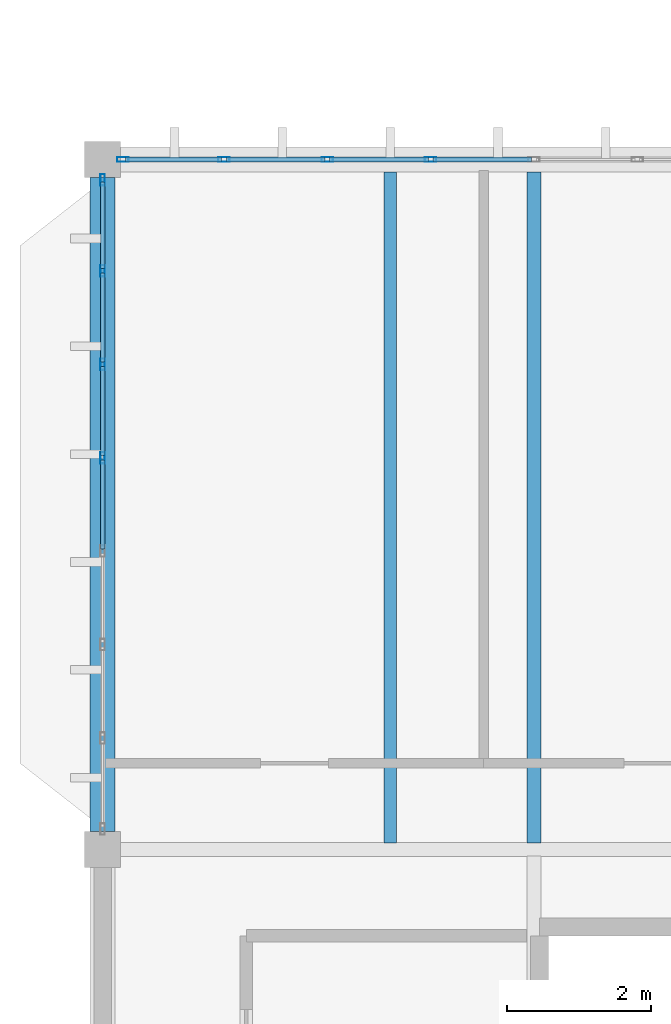
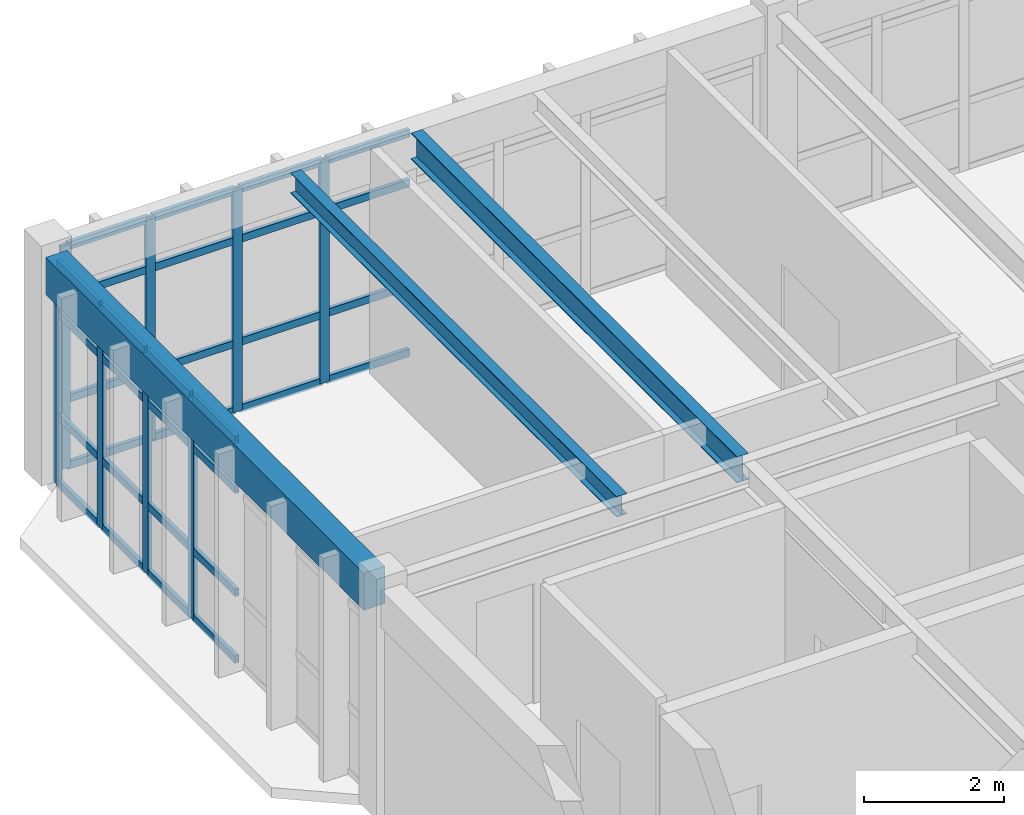
# One storey, part 16 of 83: 40 members, 3 beams, 2 elements without a shape of their own.
"""IFC4 building model written with IfcOpenShell, lengths in metres."""

from ifc_helpers import new_model, si_unit, direction, frame, origin, origin_2d, place, context, subcontext, project, spatial, rectangle, hollow_rectangle, i_section, extrude, material, layer, layer_set, material_profile, profile_set, type_object, element, aggregate, save


model = new_model("IFC4")

# Units and contexts
model_context = context("Model", 3, precision=1e-05, world=origin(), true_north=direction((0.0, 1.0)))
body_context = subcontext(model_context, "Body", "Model", "MODEL_VIEW")
ifc_project = project(units=[si_unit("LENGTHUNIT", "METRE"), si_unit("AREAUNIT", "SQUARE_METRE"), si_unit("VOLUMEUNIT", "CUBIC_METRE"), si_unit("PLANEANGLEUNIT", "RADIAN"), si_unit("MASSUNIT", "GRAM", prefix="KILO")], contexts=[model_context])

# Site, building, storey
site_placement = place(None, origin())
site = spatial("IfcSite", under=ifc_project, at=site_placement, CompositionType="ELEMENT")
building_placement = place(site_placement, origin())
building = spatial("IfcBuilding", under=site, at=building_placement, Name="Pandanus Reach Market Hall", CompositionType="ELEMENT")
storey_placement = place(building_placement, frame((0.0, 0.0, 10.199951171875)))
storey = spatial("IfcBuildingStorey", under=building, at=storey_placement, Name="L02", CompositionType="ELEMENT", Elevation=10.199951171875)

# Beams
ifc_material_1 = material(Name="Concrete N40 (40 MPa)", Category="concrete")
ifc_material_profile_1 = material_profile(ifc_material_1, rectangle(XDim=0.35009765625, YDim=0.64990234375, at=origin_2d()), Name="RC350x650", Category="LoadBearing")
ifc_profile_set_1 = profile_set([ifc_material_profile_1], Name="Concrete N40 (40 MPa)")
beam_type_1 = type_object("IfcBeamType", Name="BM-RC350-E", PredefinedType="SPANDREL", material=ifc_profile_set_1)
beam_1_placement = place(storey_placement, frame((0.0, 19.447998046875, 3.655029296875), z_axis=(0.0, 1.0, 0.0), x_axis=(-1.0, 0.0, 0.0)))
element("IfcBeam", 1, at=beam_1_placement, inside=storey, type_object=beam_type_1, Name="Framing beam BM-RC350-E L02.1021", PredefinedType="SPANDREL", context=body_context, shape_type="SweptSolid", body=[
    extrude(rectangle(XDim=0.35009765625, YDim=0.64990234375, at=origin_2d()), origin(), (0.0, 0.0, 1.0), 9.10400390625),
])
ifc_material_2 = material(Name="Steel Grade 350 (350 MPa)", Category="steel")
ifc_material_profile_2 = material_profile(ifc_material_2, i_section(OverallWidth=0.18994140625, OverallDepth=0.45703125, WebThickness=0.009033203125, FlangeThickness=0.014404296875, at=origin_2d()), Name="460UB74.6", Category="LoadBearing")
ifc_profile_set_2 = profile_set([ifc_material_profile_2], Name="Steel Grade 350 (350 MPa)")
beam_type_2 = type_object("IfcBeamType", Name="BM-UB460-I", PredefinedType="BEAM", material=ifc_profile_set_2)
beam_2_placement = place(storey_placement, frame((6.0, 19.29296875, 3.75), z_axis=(0.0, 1.0, 0.0), x_axis=(-1.0, 0.0, 0.0)))
element("IfcBeam", 2, at=beam_2_placement, inside=storey, type_object=beam_type_2, Name="Food court valley beam B1.19", PredefinedType="BEAM", context=body_context, shape_type="SweptSolid", body=[
    extrude(i_section(OverallWidth=0.18994140625, OverallDepth=0.45703125, WebThickness=0.009033203125, FlangeThickness=0.014404296875, at=origin_2d()), origin(), (0.0, 0.0, 1.0), 9.333984375),
])

# Curtain wall, members
ifc_material_3 = material(Name="Bronze anodised aluminium and low-E glass", Category="aluminium")
ifc_layer_1 = layer(ifc_material_3, 0.159912109375, Name="CW-22")
ifc_layer_set_1 = layer_set([ifc_layer_1], Name="Bronze anodised aluminium and low-E glass")
curtain_wall_type_1 = type_object("IfcCurtainWallType", Name="CW-22", PredefinedType="NOTDEFINED", material=ifc_layer_set_1)
curtain_wall_1_placement = place(storey_placement, origin())
curtain_wall_1 = element("IfcCurtainWall", 3, at=curtain_wall_1_placement, inside=storey, type_object=curtain_wall_type_1, Name="Glazed curtain wall CW-22 CW-0065", PredefinedType="NOTDEFINED")
ifc_material_4 = material(Name="Bronze anodised aluminium", Category="aluminium")
ifc_material_profile_3 = material_profile(ifc_material_4, hollow_rectangle(XDim=0.06494140625, YDim=0.159912109375, WallThickness=0.00390625, at=origin_2d()), Name="ALU65x160", Category="LoadBearing")
ifc_profile_set_3 = profile_set([ifc_material_profile_3], Name="Bronze anodised aluminium")
member_type_1 = type_object("IfcMemberType", Name="CW-M1", PredefinedType="MULLION", material=ifc_profile_set_3)
member_1_placement = place(storey_placement, frame((0.282470703125, 28.800048828125, 0.0), z_axis=(0.0, 0.0, 1.0), x_axis=(0.0, 1.0, 0.0)))
member_1 = element("IfcMember", 4, at=member_1_placement, type_object=member_type_1, Name="CW-22 mullion 1", PredefinedType="MULLION", context=body_context, shape_type="SweptSolid", body=[
    extrude(hollow_rectangle(XDim=0.06494140625, YDim=0.159912109375, WallThickness=0.00390625, at=origin_2d()), origin(), (0.0, 0.0, 1.0), 3.900146484375),
])
member_2_placement = place(storey_placement, frame((1.6875, 28.800048828125, 0.0), z_axis=(0.0, 0.0, 1.0), x_axis=(0.0, 1.0, 0.0)))
member_2 = element("IfcMember", 5, at=member_2_placement, type_object=member_type_1, Name="CW-22 mullion 2", PredefinedType="MULLION", context=body_context, shape_type="SweptSolid", body=[
    extrude(hollow_rectangle(XDim=0.06494140625, YDim=0.159912109375, WallThickness=0.00390625, at=origin_2d()), origin(), (0.0, 0.0, 1.0), 3.900146484375),
])
member_3_placement = place(storey_placement, frame((3.125, 28.800048828125, 0.0), z_axis=(0.0, 0.0, 1.0), x_axis=(0.0, 1.0, 0.0)))
member_3 = element("IfcMember", 6, at=member_3_placement, type_object=member_type_1, Name="CW-22 mullion 3", PredefinedType="MULLION", context=body_context, shape_type="SweptSolid", body=[
    extrude(hollow_rectangle(XDim=0.06494140625, YDim=0.159912109375, WallThickness=0.00390625, at=origin_2d()), origin(), (0.0, 0.0, 1.0), 3.900146484375),
])
member_4_placement = place(storey_placement, frame((4.5625, 28.800048828125, 0.0), z_axis=(0.0, 0.0, 1.0), x_axis=(0.0, 1.0, 0.0)))
member_4 = element("IfcMember", 7, at=member_4_placement, type_object=member_type_1, Name="CW-22 mullion 4", PredefinedType="MULLION", context=body_context, shape_type="SweptSolid", body=[
    extrude(hollow_rectangle(XDim=0.06494140625, YDim=0.159912109375, WallThickness=0.00390625, at=origin_2d()), origin(), (0.0, 0.0, 1.0), 3.900146484375),
])

ifc_layer_2 = layer(ifc_material_3, 0.159912109375, Name="CW-23")
ifc_layer_set_2 = layer_set([ifc_layer_2], Name="Bronze anodised aluminium and low-E glass")
curtain_wall_type_2 = type_object("IfcCurtainWallType", Name="CW-23", PredefinedType="NOTDEFINED", material=ifc_layer_set_2)
curtain_wall_2_placement = place(storey_placement, origin())
curtain_wall_2 = element("IfcCurtainWall", 8, at=curtain_wall_2_placement, inside=storey, type_object=curtain_wall_type_2, Name="Glazed curtain wall CW-23 CW-0067", PredefinedType="NOTDEFINED")
member_5_placement = place(storey_placement, frame((0.0, 24.64990234375, 0.0), z_axis=(0.0, 0.0, 1.0), x_axis=(-1.0, 0.0, 0.0)))
member_5 = element("IfcMember", 9, at=member_5_placement, type_object=member_type_1, Name="CW-23 mullion 5", PredefinedType="MULLION", context=body_context, shape_type="SweptSolid", body=[
    extrude(hollow_rectangle(XDim=0.06494140625, YDim=0.159912109375, WallThickness=0.00390625, at=origin_2d()), origin(), (0.0, 0.0, 1.0), 3.900146484375),
])
member_6_placement = place(storey_placement, frame((0.0, 25.949951171875, 0.0), z_axis=(0.0, 0.0, 1.0), x_axis=(-1.0, 0.0, 0.0)))
member_6 = element("IfcMember", 10, at=member_6_placement, type_object=member_type_1, Name="CW-23 mullion 6", PredefinedType="MULLION", context=body_context, shape_type="SweptSolid", body=[
    extrude(hollow_rectangle(XDim=0.06494140625, YDim=0.159912109375, WallThickness=0.00390625, at=origin_2d()), origin(), (0.0, 0.0, 1.0), 3.900146484375),
])
member_7_placement = place(storey_placement, frame((0.0, 27.25, 0.0), z_axis=(0.0, 0.0, 1.0), x_axis=(-1.0, 0.0, 0.0)))
member_7 = element("IfcMember", 11, at=member_7_placement, type_object=member_type_1, Name="CW-23 mullion 7", PredefinedType="MULLION", context=body_context, shape_type="SweptSolid", body=[
    extrude(hollow_rectangle(XDim=0.06494140625, YDim=0.159912109375, WallThickness=0.00390625, at=origin_2d()), origin(), (0.0, 0.0, 1.0), 3.900146484375),
])
member_8_placement = place(storey_placement, frame((0.0, 28.517578125, 0.0), z_axis=(0.0, 0.0, 1.0), x_axis=(-1.0, 0.0, 0.0)))
member_8 = element("IfcMember", 12, at=member_8_placement, type_object=member_type_1, Name="CW-23 mullion 8", PredefinedType="MULLION", context=body_context, shape_type="SweptSolid", body=[
    extrude(hollow_rectangle(XDim=0.06494140625, YDim=0.159912109375, WallThickness=0.00390625, at=origin_2d()), origin(), (0.0, 0.0, 1.0), 3.900146484375),
])

# Member
ifc_material_profile_4 = material_profile(ifc_material_4, hollow_rectangle(XDim=0.06494140625, YDim=0.1298828125, WallThickness=0.00390625, at=origin_2d()), Name="ALU65x130", Category="LoadBearing")
ifc_profile_set_4 = profile_set([ifc_material_profile_4], Name="Bronze anodised aluminium")
member_type_2 = type_object("IfcMemberType", Name="CW-T1", PredefinedType="USERDEFINED", material=ifc_profile_set_4)
member_9_placement = place(storey_placement, frame((0.31494140625, 28.800048828125, 0.032470703125), z_axis=(1.0, 0.0, 0.0), x_axis=(0.0, 1.0, 0.0)))
member_9 = element("IfcMember", 13, at=member_9_placement, type_object=member_type_2, Name="CW-22 transom 1.1", ObjectType="TRANSOM", PredefinedType="USERDEFINED", context=body_context, shape_type="SweptSolid", body=[
    extrude(hollow_rectangle(XDim=0.06494140625, YDim=0.1298828125, WallThickness=0.00390625, at=origin_2d()), origin(), (0.0, 0.0, 1.0), 1.340087890625),
])

member_10_placement = place(storey_placement, frame((0.31494140625, 28.800048828125, 1.199951171875), z_axis=(1.0, 0.0, 0.0), x_axis=(0.0, 1.0, 0.0)))
member_10 = element("IfcMember", 14, at=member_10_placement, type_object=member_type_2, Name="CW-22 transom 1.2", ObjectType="TRANSOM", PredefinedType="USERDEFINED", context=body_context, shape_type="SweptSolid", body=[
    extrude(hollow_rectangle(XDim=0.06494140625, YDim=0.1298828125, WallThickness=0.00390625, at=origin_2d()), origin(), (0.0, 0.0, 1.0), 1.340087890625),
])

member_11_placement = place(storey_placement, frame((0.31494140625, 28.800048828125, 3.0), z_axis=(1.0, 0.0, 0.0), x_axis=(0.0, 1.0, 0.0)))
member_11 = element("IfcMember", 15, at=member_11_placement, type_object=member_type_2, Name="CW-22 transom 1.3", ObjectType="TRANSOM", PredefinedType="USERDEFINED", context=body_context, shape_type="SweptSolid", body=[
    extrude(hollow_rectangle(XDim=0.06494140625, YDim=0.1298828125, WallThickness=0.00390625, at=origin_2d()), origin(), (0.0, 0.0, 1.0), 1.340087890625),
])

member_12_placement = place(storey_placement, frame((0.31494140625, 28.800048828125, 3.867431640625), z_axis=(1.0, 0.0, 0.0), x_axis=(0.0, 1.0, 0.0)))
member_12 = element("IfcMember", 16, at=member_12_placement, type_object=member_type_2, Name="CW-22 transom 1.4", ObjectType="TRANSOM", PredefinedType="USERDEFINED", context=body_context, shape_type="SweptSolid", body=[
    extrude(hollow_rectangle(XDim=0.06494140625, YDim=0.1298828125, WallThickness=0.00390625, at=origin_2d()), origin(), (0.0, 0.0, 1.0), 1.340087890625),
])

member_13_placement = place(storey_placement, frame((1.719970703125, 28.800048828125, 0.032470703125), z_axis=(1.0, 0.0, 0.0), x_axis=(0.0, 1.0, 0.0)))
member_13 = element("IfcMember", 17, at=member_13_placement, type_object=member_type_2, Name="CW-22 transom 2.1", ObjectType="TRANSOM", PredefinedType="USERDEFINED", context=body_context, shape_type="SweptSolid", body=[
    extrude(hollow_rectangle(XDim=0.06494140625, YDim=0.1298828125, WallThickness=0.00390625, at=origin_2d()), origin(), (0.0, 0.0, 1.0), 1.37255859375),
])

member_14_placement = place(storey_placement, frame((1.719970703125, 28.800048828125, 1.199951171875), z_axis=(1.0, 0.0, 0.0), x_axis=(0.0, 1.0, 0.0)))
member_14 = element("IfcMember", 18, at=member_14_placement, type_object=member_type_2, Name="CW-22 transom 2.2", ObjectType="TRANSOM", PredefinedType="USERDEFINED", context=body_context, shape_type="SweptSolid", body=[
    extrude(hollow_rectangle(XDim=0.06494140625, YDim=0.1298828125, WallThickness=0.00390625, at=origin_2d()), origin(), (0.0, 0.0, 1.0), 1.37255859375),
])

member_15_placement = place(storey_placement, frame((1.719970703125, 28.800048828125, 3.0), z_axis=(1.0, 0.0, 0.0), x_axis=(0.0, 1.0, 0.0)))
member_15 = element("IfcMember", 19, at=member_15_placement, type_object=member_type_2, Name="CW-22 transom 2.3", ObjectType="TRANSOM", PredefinedType="USERDEFINED", context=body_context, shape_type="SweptSolid", body=[
    extrude(hollow_rectangle(XDim=0.06494140625, YDim=0.1298828125, WallThickness=0.00390625, at=origin_2d()), origin(), (0.0, 0.0, 1.0), 1.37255859375),
])

member_16_placement = place(storey_placement, frame((1.719970703125, 28.800048828125, 3.867431640625), z_axis=(1.0, 0.0, 0.0), x_axis=(0.0, 1.0, 0.0)))
member_16 = element("IfcMember", 20, at=member_16_placement, type_object=member_type_2, Name="CW-22 transom 2.4", ObjectType="TRANSOM", PredefinedType="USERDEFINED", context=body_context, shape_type="SweptSolid", body=[
    extrude(hollow_rectangle(XDim=0.06494140625, YDim=0.1298828125, WallThickness=0.00390625, at=origin_2d()), origin(), (0.0, 0.0, 1.0), 1.37255859375),
])

member_17_placement = place(storey_placement, frame((3.157470703125, 28.800048828125, 0.032470703125), z_axis=(1.0, 0.0, 0.0), x_axis=(0.0, 1.0, 0.0)))
member_17 = element("IfcMember", 21, at=member_17_placement, type_object=member_type_2, Name="CW-22 transom 3.1", ObjectType="TRANSOM", PredefinedType="USERDEFINED", context=body_context, shape_type="SweptSolid", body=[
    extrude(hollow_rectangle(XDim=0.06494140625, YDim=0.1298828125, WallThickness=0.00390625, at=origin_2d()), origin(), (0.0, 0.0, 1.0), 1.37255859375),
])

member_18_placement = place(storey_placement, frame((3.157470703125, 28.800048828125, 1.199951171875), z_axis=(1.0, 0.0, 0.0), x_axis=(0.0, 1.0, 0.0)))
member_18 = element("IfcMember", 22, at=member_18_placement, type_object=member_type_2, Name="CW-22 transom 3.2", ObjectType="TRANSOM", PredefinedType="USERDEFINED", context=body_context, shape_type="SweptSolid", body=[
    extrude(hollow_rectangle(XDim=0.06494140625, YDim=0.1298828125, WallThickness=0.00390625, at=origin_2d()), origin(), (0.0, 0.0, 1.0), 1.37255859375),
])

member_19_placement = place(storey_placement, frame((3.157470703125, 28.800048828125, 3.0), z_axis=(1.0, 0.0, 0.0), x_axis=(0.0, 1.0, 0.0)))
member_19 = element("IfcMember", 23, at=member_19_placement, type_object=member_type_2, Name="CW-22 transom 3.3", ObjectType="TRANSOM", PredefinedType="USERDEFINED", context=body_context, shape_type="SweptSolid", body=[
    extrude(hollow_rectangle(XDim=0.06494140625, YDim=0.1298828125, WallThickness=0.00390625, at=origin_2d()), origin(), (0.0, 0.0, 1.0), 1.37255859375),
])

member_20_placement = place(storey_placement, frame((3.157470703125, 28.800048828125, 3.867431640625), z_axis=(1.0, 0.0, 0.0), x_axis=(0.0, 1.0, 0.0)))
member_20 = element("IfcMember", 24, at=member_20_placement, type_object=member_type_2, Name="CW-22 transom 3.4", ObjectType="TRANSOM", PredefinedType="USERDEFINED", context=body_context, shape_type="SweptSolid", body=[
    extrude(hollow_rectangle(XDim=0.06494140625, YDim=0.1298828125, WallThickness=0.00390625, at=origin_2d()), origin(), (0.0, 0.0, 1.0), 1.37255859375),
])

member_21_placement = place(storey_placement, frame((4.594970703125, 28.800048828125, 0.032470703125), z_axis=(1.0, 0.0, 0.0), x_axis=(0.0, 1.0, 0.0)))
member_21 = element("IfcMember", 25, at=member_21_placement, type_object=member_type_2, Name="CW-22 transom 4.1", ObjectType="TRANSOM", PredefinedType="USERDEFINED", context=body_context, shape_type="SweptSolid", body=[
    extrude(hollow_rectangle(XDim=0.06494140625, YDim=0.1298828125, WallThickness=0.00390625, at=origin_2d()), origin(), (0.0, 0.0, 1.0), 1.37255859375),
])

member_22_placement = place(storey_placement, frame((4.594970703125, 28.800048828125, 1.199951171875), z_axis=(1.0, 0.0, 0.0), x_axis=(0.0, 1.0, 0.0)))
member_22 = element("IfcMember", 26, at=member_22_placement, type_object=member_type_2, Name="CW-22 transom 4.2", ObjectType="TRANSOM", PredefinedType="USERDEFINED", context=body_context, shape_type="SweptSolid", body=[
    extrude(hollow_rectangle(XDim=0.06494140625, YDim=0.1298828125, WallThickness=0.00390625, at=origin_2d()), origin(), (0.0, 0.0, 1.0), 1.37255859375),
])

member_23_placement = place(storey_placement, frame((4.594970703125, 28.800048828125, 3.0), z_axis=(1.0, 0.0, 0.0), x_axis=(0.0, 1.0, 0.0)))
member_23 = element("IfcMember", 27, at=member_23_placement, type_object=member_type_2, Name="CW-22 transom 4.3", ObjectType="TRANSOM", PredefinedType="USERDEFINED", context=body_context, shape_type="SweptSolid", body=[
    extrude(hollow_rectangle(XDim=0.06494140625, YDim=0.1298828125, WallThickness=0.00390625, at=origin_2d()), origin(), (0.0, 0.0, 1.0), 1.37255859375),
])

member_24_placement = place(storey_placement, frame((4.594970703125, 28.800048828125, 3.867431640625), z_axis=(1.0, 0.0, 0.0), x_axis=(0.0, 1.0, 0.0)))
member_24 = element("IfcMember", 28, at=member_24_placement, type_object=member_type_2, Name="CW-22 transom 4.4", ObjectType="TRANSOM", PredefinedType="USERDEFINED", context=body_context, shape_type="SweptSolid", body=[
    extrude(hollow_rectangle(XDim=0.06494140625, YDim=0.1298828125, WallThickness=0.00390625, at=origin_2d()), origin(), (0.0, 0.0, 1.0), 1.37255859375),
])

aggregate(curtain_wall_1, [member_1, member_2, member_3, member_4, member_9, member_10, member_11, member_12, member_13, member_14, member_15, member_16, member_17, member_18, member_19, member_20, member_21, member_22, member_23, member_24])

member_25_placement = place(storey_placement, frame((0.0, 23.382568359375, 0.032470703125), z_axis=(0.0, 1.0, 0.0), x_axis=(-1.0, 0.0, 0.0)))
member_25 = element("IfcMember", 29, at=member_25_placement, type_object=member_type_2, Name="CW-23 transom 4.1", ObjectType="TRANSOM", PredefinedType="USERDEFINED", context=body_context, shape_type="SweptSolid", body=[
    extrude(hollow_rectangle(XDim=0.06494140625, YDim=0.1298828125, WallThickness=0.00390625, at=origin_2d()), origin(), (0.0, 0.0, 1.0), 1.23486328125),
])

member_26_placement = place(storey_placement, frame((0.0, 23.382568359375, 1.199951171875), z_axis=(0.0, 1.0, 0.0), x_axis=(-1.0, 0.0, 0.0)))
member_26 = element("IfcMember", 30, at=member_26_placement, type_object=member_type_2, Name="CW-23 transom 4.2", ObjectType="TRANSOM", PredefinedType="USERDEFINED", context=body_context, shape_type="SweptSolid", body=[
    extrude(hollow_rectangle(XDim=0.06494140625, YDim=0.1298828125, WallThickness=0.00390625, at=origin_2d()), origin(), (0.0, 0.0, 1.0), 1.23486328125),
])

member_27_placement = place(storey_placement, frame((0.0, 23.382568359375, 3.0), z_axis=(0.0, 1.0, 0.0), x_axis=(-1.0, 0.0, 0.0)))
member_27 = element("IfcMember", 31, at=member_27_placement, type_object=member_type_2, Name="CW-23 transom 4.3", ObjectType="TRANSOM", PredefinedType="USERDEFINED", context=body_context, shape_type="SweptSolid", body=[
    extrude(hollow_rectangle(XDim=0.06494140625, YDim=0.1298828125, WallThickness=0.00390625, at=origin_2d()), origin(), (0.0, 0.0, 1.0), 1.23486328125),
])

member_28_placement = place(storey_placement, frame((0.0, 23.382568359375, 3.867431640625), z_axis=(0.0, 1.0, 0.0), x_axis=(-1.0, 0.0, 0.0)))
member_28 = element("IfcMember", 32, at=member_28_placement, type_object=member_type_2, Name="CW-23 transom 4.4", ObjectType="TRANSOM", PredefinedType="USERDEFINED", context=body_context, shape_type="SweptSolid", body=[
    extrude(hollow_rectangle(XDim=0.06494140625, YDim=0.1298828125, WallThickness=0.00390625, at=origin_2d()), origin(), (0.0, 0.0, 1.0), 1.23486328125),
])

member_29_placement = place(storey_placement, frame((0.0, 24.6826171875, 0.032470703125), z_axis=(0.0, 1.0, 0.0), x_axis=(-1.0, 0.0, 0.0)))
member_29 = element("IfcMember", 33, at=member_29_placement, type_object=member_type_2, Name="CW-23 transom 5.1", ObjectType="TRANSOM", PredefinedType="USERDEFINED", context=body_context, shape_type="SweptSolid", body=[
    extrude(hollow_rectangle(XDim=0.06494140625, YDim=0.1298828125, WallThickness=0.00390625, at=origin_2d()), origin(), (0.0, 0.0, 1.0), 1.23486328125),
])

member_30_placement = place(storey_placement, frame((0.0, 24.6826171875, 1.199951171875), z_axis=(0.0, 1.0, 0.0), x_axis=(-1.0, 0.0, 0.0)))
member_30 = element("IfcMember", 34, at=member_30_placement, type_object=member_type_2, Name="CW-23 transom 5.2", ObjectType="TRANSOM", PredefinedType="USERDEFINED", context=body_context, shape_type="SweptSolid", body=[
    extrude(hollow_rectangle(XDim=0.06494140625, YDim=0.1298828125, WallThickness=0.00390625, at=origin_2d()), origin(), (0.0, 0.0, 1.0), 1.23486328125),
])

member_31_placement = place(storey_placement, frame((0.0, 24.6826171875, 3.0), z_axis=(0.0, 1.0, 0.0), x_axis=(-1.0, 0.0, 0.0)))
member_31 = element("IfcMember", 35, at=member_31_placement, type_object=member_type_2, Name="CW-23 transom 5.3", ObjectType="TRANSOM", PredefinedType="USERDEFINED", context=body_context, shape_type="SweptSolid", body=[
    extrude(hollow_rectangle(XDim=0.06494140625, YDim=0.1298828125, WallThickness=0.00390625, at=origin_2d()), origin(), (0.0, 0.0, 1.0), 1.23486328125),
])

member_32_placement = place(storey_placement, frame((0.0, 24.6826171875, 3.867431640625), z_axis=(0.0, 1.0, 0.0), x_axis=(-1.0, 0.0, 0.0)))
member_32 = element("IfcMember", 36, at=member_32_placement, type_object=member_type_2, Name="CW-23 transom 5.4", ObjectType="TRANSOM", PredefinedType="USERDEFINED", context=body_context, shape_type="SweptSolid", body=[
    extrude(hollow_rectangle(XDim=0.06494140625, YDim=0.1298828125, WallThickness=0.00390625, at=origin_2d()), origin(), (0.0, 0.0, 1.0), 1.23486328125),
])

member_33_placement = place(storey_placement, frame((0.0, 25.982421875, 0.032470703125), z_axis=(0.0, 1.0, 0.0), x_axis=(-1.0, 0.0, 0.0)))
member_33 = element("IfcMember", 37, at=member_33_placement, type_object=member_type_2, Name="CW-23 transom 6.1", ObjectType="TRANSOM", PredefinedType="USERDEFINED", context=body_context, shape_type="SweptSolid", body=[
    extrude(hollow_rectangle(XDim=0.06494140625, YDim=0.1298828125, WallThickness=0.00390625, at=origin_2d()), origin(), (0.0, 0.0, 1.0), 1.235107421875),
])

member_34_placement = place(storey_placement, frame((0.0, 25.982421875, 1.199951171875), z_axis=(0.0, 1.0, 0.0), x_axis=(-1.0, 0.0, 0.0)))
member_34 = element("IfcMember", 38, at=member_34_placement, type_object=member_type_2, Name="CW-23 transom 6.2", ObjectType="TRANSOM", PredefinedType="USERDEFINED", context=body_context, shape_type="SweptSolid", body=[
    extrude(hollow_rectangle(XDim=0.06494140625, YDim=0.1298828125, WallThickness=0.00390625, at=origin_2d()), origin(), (0.0, 0.0, 1.0), 1.235107421875),
])

member_35_placement = place(storey_placement, frame((0.0, 25.982421875, 3.0), z_axis=(0.0, 1.0, 0.0), x_axis=(-1.0, 0.0, 0.0)))
member_35 = element("IfcMember", 39, at=member_35_placement, type_object=member_type_2, Name="CW-23 transom 6.3", ObjectType="TRANSOM", PredefinedType="USERDEFINED", context=body_context, shape_type="SweptSolid", body=[
    extrude(hollow_rectangle(XDim=0.06494140625, YDim=0.1298828125, WallThickness=0.00390625, at=origin_2d()), origin(), (0.0, 0.0, 1.0), 1.235107421875),
])

member_36_placement = place(storey_placement, frame((0.0, 25.982421875, 3.867431640625), z_axis=(0.0, 1.0, 0.0), x_axis=(-1.0, 0.0, 0.0)))
member_36 = element("IfcMember", 40, at=member_36_placement, type_object=member_type_2, Name="CW-23 transom 6.4", ObjectType="TRANSOM", PredefinedType="USERDEFINED", context=body_context, shape_type="SweptSolid", body=[
    extrude(hollow_rectangle(XDim=0.06494140625, YDim=0.1298828125, WallThickness=0.00390625, at=origin_2d()), origin(), (0.0, 0.0, 1.0), 1.235107421875),
])

member_37_placement = place(storey_placement, frame((0.0, 27.282470703125, 0.032470703125), z_axis=(0.0, 1.0, 0.0), x_axis=(-1.0, 0.0, 0.0)))
member_37 = element("IfcMember", 41, at=member_37_placement, type_object=member_type_2, Name="CW-23 transom 7.1", ObjectType="TRANSOM", PredefinedType="USERDEFINED", context=body_context, shape_type="SweptSolid", body=[
    extrude(hollow_rectangle(XDim=0.06494140625, YDim=0.1298828125, WallThickness=0.00390625, at=origin_2d()), origin(), (0.0, 0.0, 1.0), 1.20263671875),
])

member_38_placement = place(storey_placement, frame((0.0, 27.282470703125, 1.199951171875), z_axis=(0.0, 1.0, 0.0), x_axis=(-1.0, 0.0, 0.0)))
member_38 = element("IfcMember", 42, at=member_38_placement, type_object=member_type_2, Name="CW-23 transom 7.2", ObjectType="TRANSOM", PredefinedType="USERDEFINED", context=body_context, shape_type="SweptSolid", body=[
    extrude(hollow_rectangle(XDim=0.06494140625, YDim=0.1298828125, WallThickness=0.00390625, at=origin_2d()), origin(), (0.0, 0.0, 1.0), 1.20263671875),
])

member_39_placement = place(storey_placement, frame((0.0, 27.282470703125, 3.0), z_axis=(0.0, 1.0, 0.0), x_axis=(-1.0, 0.0, 0.0)))
member_39 = element("IfcMember", 43, at=member_39_placement, type_object=member_type_2, Name="CW-23 transom 7.3", ObjectType="TRANSOM", PredefinedType="USERDEFINED", context=body_context, shape_type="SweptSolid", body=[
    extrude(hollow_rectangle(XDim=0.06494140625, YDim=0.1298828125, WallThickness=0.00390625, at=origin_2d()), origin(), (0.0, 0.0, 1.0), 1.20263671875),
])

member_40_placement = place(storey_placement, frame((0.0, 27.282470703125, 3.867431640625), z_axis=(0.0, 1.0, 0.0), x_axis=(-1.0, 0.0, 0.0)))
member_40 = element("IfcMember", 44, at=member_40_placement, type_object=member_type_2, Name="CW-23 transom 7.4", ObjectType="TRANSOM", PredefinedType="USERDEFINED", context=body_context, shape_type="SweptSolid", body=[
    extrude(hollow_rectangle(XDim=0.06494140625, YDim=0.1298828125, WallThickness=0.00390625, at=origin_2d()), origin(), (0.0, 0.0, 1.0), 1.20263671875),
])

aggregate(curtain_wall_2, [member_5, member_6, member_7, member_8, member_25, member_26, member_27, member_28, member_29, member_30, member_31, member_32, member_33, member_34, member_35, member_36, member_37, member_38, member_39, member_40])

# Beam
ifc_material_profile_5 = material_profile(ifc_material_2, i_section(OverallWidth=0.1708984375, OverallDepth=0.35595703125, WebThickness=0.00732421875, FlangeThickness=0.011474609375, at=origin_2d()), Name="360UB50.7", Category="LoadBearing")
ifc_profile_set_5 = profile_set([ifc_material_profile_5], Name="Steel Grade 350 (350 MPa)")
beam_type_3 = type_object("IfcBeamType", Name="JS-UB360-I", PredefinedType="JOIST", material=ifc_profile_set_5)
beam_3_placement = place(storey_placement, frame((4.0, 19.29296875, 3.8017578125), z_axis=(0.0, 1.0, 0.0), x_axis=(-1.0, 0.0, 0.0)))
element("IfcBeam", 45, at=beam_3_placement, inside=storey, type_object=beam_type_3, Name="Secondary joist JS-UB360-I L02.1030", PredefinedType="JOIST", context=body_context, shape_type="SweptSolid", body=[
    extrude(i_section(OverallWidth=0.1708984375, OverallDepth=0.35595703125, WebThickness=0.00732421875, FlangeThickness=0.011474609375, at=origin_2d()), origin(), (0.0, 0.0, 1.0), 9.333984375),
])

save(model, "model.ifc")
